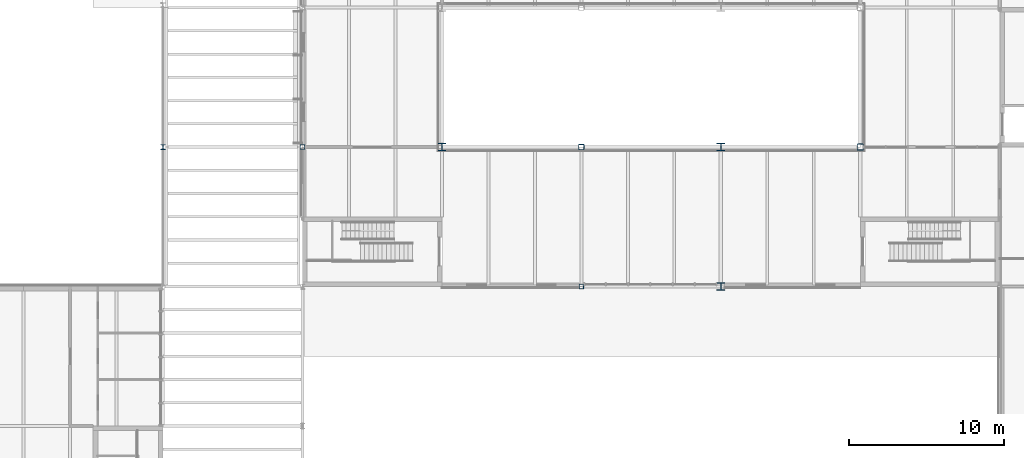
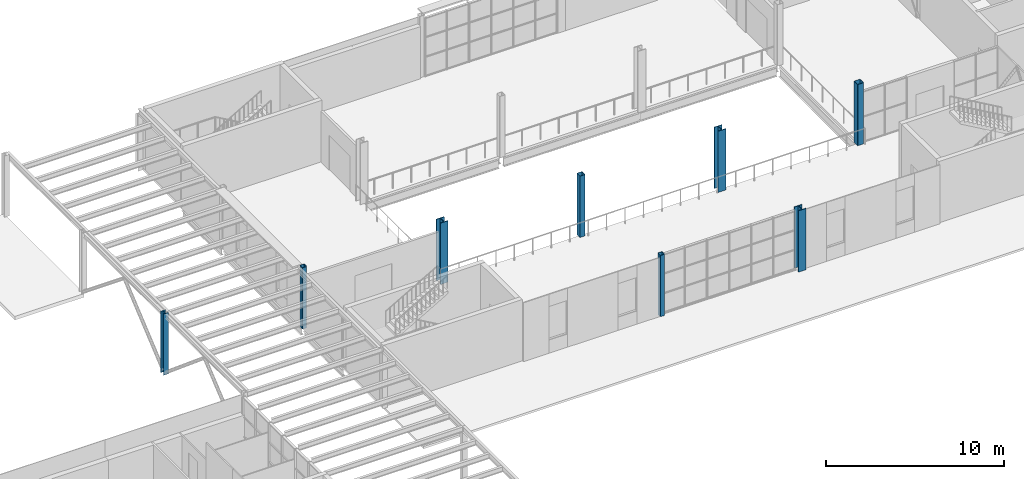
# One storey, part 2 of 57: 8 columns.
"""IFC4 building model written with IfcOpenShell, lengths in metres."""

from ifc_helpers import new_model, si_unit, direction, frame, origin, origin_2d, place, context, subcontext, project, spatial, hollow_rectangle, i_section, extrude, material, material_profile, profile_set, type_object, element, save


model = new_model("IFC4")

# Units and contexts
model_context = context("Model", 3, precision=1e-05, world=origin(), true_north=direction((0.0, 1.0)))
body_context = subcontext(model_context, "Body", "Model", "MODEL_VIEW")
ifc_project = project(units=[si_unit("LENGTHUNIT", "METRE"), si_unit("AREAUNIT", "SQUARE_METRE"), si_unit("VOLUMEUNIT", "CUBIC_METRE"), si_unit("PLANEANGLEUNIT", "RADIAN"), si_unit("MASSUNIT", "GRAM", prefix="KILO")], contexts=[model_context])

# Site, building, storey
site_placement = place(None, origin())
site = spatial("IfcSite", under=ifc_project, at=site_placement, CompositionType="ELEMENT")
building_placement = place(site_placement, origin())
building = spatial("IfcBuilding", under=site, at=building_placement, Name="Halyard Row Museum", CompositionType="ELEMENT")
storey_placement = place(building_placement, frame((0.0, 0.0, 5.0)))
storey = spatial("IfcBuildingStorey", under=building, at=storey_placement, Name="L01", CompositionType="ELEMENT", Elevation=5.0)

# Columns
ifc_material_1 = material(Name="Steel Grade C350L0", Category="steel")
ifc_material_profile_1 = material_profile(ifc_material_1, hollow_rectangle(XDim=0.300048828125, YDim=0.300048828125, WallThickness=0.01611328125, InnerFilletRadius=0.02392578125, OuterFilletRadius=0.0400390625, at=origin_2d()), Name="300x300x16.0SHS")
ifc_profile_set_1 = profile_set([ifc_material_profile_1], Name="Steel Grade C350L0")
column_type_1 = type_object("IfcColumnType", Name="Column 300x300x16.0SHS edge", PredefinedType="COLUMN", material=ifc_profile_set_1)
for number, where, z_axis, x_axis, name in (
    (1, (45.0, 18.0, 0.0), (0.0, 0.0, 1.0), (1.0, 0.0, 0.0), "Column 6C L01"),
    (2, (27.0, 27.0, 0.0), (0.0, 0.0, 1.0), (1.0, 0.0, 0.0), "Column 4D L01"),
):
    element("IfcColumn", number, at=place(storey_placement, frame(where, z_axis=z_axis, x_axis=x_axis)), inside=storey, type_object=column_type_1, Name=name, PredefinedType="COLUMN", context=body_context, shape_type="SweptSolid", body=[
        extrude(hollow_rectangle(XDim=0.300048828125, YDim=0.300048828125, WallThickness=0.01611328125, InnerFilletRadius=0.02392578125, OuterFilletRadius=0.0400390625, at=origin_2d()), origin(), (0.0, 0.0, 1.0), 4.199951171875),
    ])
ifc_material_2 = material(Name="Steel Grade C350L0", Category="steel")
ifc_material_profile_2 = material_profile(ifc_material_2, hollow_rectangle(XDim=0.35009765625, YDim=0.35009765625, WallThickness=0.01611328125, InnerFilletRadius=0.02392578125, OuterFilletRadius=0.0400390625, at=origin_2d()), Name="350x350x16.0SHS")
ifc_profile_set_2 = profile_set([ifc_material_profile_2], Name="Steel Grade C350L0")
column_type_2 = type_object("IfcColumnType", Name="Column 350x350x16.0SHS edge", PredefinedType="COLUMN", material=ifc_profile_set_2)
column_1_placement = place(storey_placement, frame((45.0, 27.0, 0.0), z_axis=(0.0, 0.0, 1.0), x_axis=(1.0, 0.0, 0.0)))
element("IfcColumn", 3, at=column_1_placement, inside=storey, type_object=column_type_2, Name="Column 6D L01", PredefinedType="COLUMN", context=body_context, shape_type="SweptSolid", body=[
    extrude(hollow_rectangle(XDim=0.35009765625, YDim=0.35009765625, WallThickness=0.01611328125, InnerFilletRadius=0.02392578125, OuterFilletRadius=0.0400390625, at=origin_2d()), origin(), (0.0, 0.0, 1.0), 4.199951171875),
])
ifc_material_3 = material(Name="Steel Grade C350L0", Category="steel")
ifc_material_profile_3 = material_profile(ifc_material_3, hollow_rectangle(XDim=0.39990234375, YDim=0.39990234375, WallThickness=0.01611328125, InnerFilletRadius=0.02392578125, OuterFilletRadius=0.0400390625, at=origin_2d()), Name="400x400x16.0SHS")
ifc_profile_set_3 = profile_set([ifc_material_profile_3], Name="Steel Grade C350L0")
column_type_3 = type_object("IfcColumnType", Name="Column 400x400x16.0SHS edge", PredefinedType="COLUMN", material=ifc_profile_set_3)
column_2_placement = place(storey_placement, frame((63.0, 27.0, 0.0), z_axis=(0.0, 0.0, 1.0), x_axis=(1.0, 0.0, 0.0)))
element("IfcColumn", 4, at=column_2_placement, inside=storey, type_object=column_type_3, Name="Column 8D L01", PredefinedType="COLUMN", context=body_context, shape_type="SweptSolid", body=[
    extrude(hollow_rectangle(XDim=0.39990234375, YDim=0.39990234375, WallThickness=0.01611328125, InnerFilletRadius=0.02392578125, OuterFilletRadius=0.0400390625, at=origin_2d()), origin(), (0.0, 0.0, 1.0), 4.199951171875),
])
ifc_material_4 = material(Name="Steel Grade 300", Category="steel")
ifc_material_profile_4 = material_profile(ifc_material_4, i_section(OverallWidth=0.5, OverallDepth=0.47998046875, WebThickness=0.0400390625, FlangeThickness=0.0400390625, at=origin_2d()), Name="500WC440")
ifc_profile_set_4 = profile_set([ifc_material_profile_4], Name="Steel Grade 300")
column_type_4 = type_object("IfcColumnType", Name="Column 500WC440 truss", PredefinedType="COLUMN", material=ifc_profile_set_4)
for number, where, z_axis, x_axis, name in (
    (5, (54.0, 18.0, 0.0), (0.0, 0.0, 1.0), (1.0, 0.0, 0.0), "Column 7C L01"),
    (6, (36.0, 27.0, 0.0), (0.0, 0.0, 1.0), (1.0, 0.0, 0.0), "Column 5D L01"),
    (7, (54.0, 27.0, 0.0), (0.0, 0.0, 1.0), (1.0, 0.0, 0.0), "Column 7D L01"),
):
    element("IfcColumn", number, at=place(storey_placement, frame(where, z_axis=z_axis, x_axis=x_axis)), inside=storey, type_object=column_type_4, Name=name, PredefinedType="COLUMN", context=body_context, shape_type="SweptSolid", body=[
        extrude(i_section(OverallWidth=0.5, OverallDepth=0.47998046875, WebThickness=0.0400390625, FlangeThickness=0.0400390625, at=origin_2d()), origin(), (0.0, 0.0, 1.0), 4.199951171875),
    ])
ifc_material_5 = material(Name="Steel Grade 300", Category="steel")
ifc_material_profile_5 = material_profile(ifc_material_5, i_section(OverallWidth=0.31103515625, OverallDepth=0.3271484375, WebThickness=0.015625, FlangeThickness=0.02490234375, FilletRadius=0.0166015625, at=origin_2d()), Name="310UC158")
ifc_profile_set_5 = profile_set([ifc_material_profile_5], Name="Steel Grade 300")
column_type_5 = type_object("IfcColumnType", Name="Hall frame column 310UC158", PredefinedType="COLUMN", material=ifc_profile_set_5)
column_3_placement = place(storey_placement, frame((18.0, 27.0, 0.0), z_axis=(0.0, 0.0, 1.0), x_axis=(1.0, 0.0, 0.0)))
element("IfcColumn", 8, at=column_3_placement, inside=storey, type_object=column_type_5, Name="Hall frame column L01 y 27", PredefinedType="COLUMN", context=body_context, shape_type="SweptSolid", body=[
    extrude(i_section(OverallWidth=0.31103515625, OverallDepth=0.3271484375, WebThickness=0.015625, FlangeThickness=0.02490234375, FilletRadius=0.0166015625, at=origin_2d()), origin(), (0.0, 0.0, 1.0), 4.199951171875),
])

save(model, "model.ifc")
